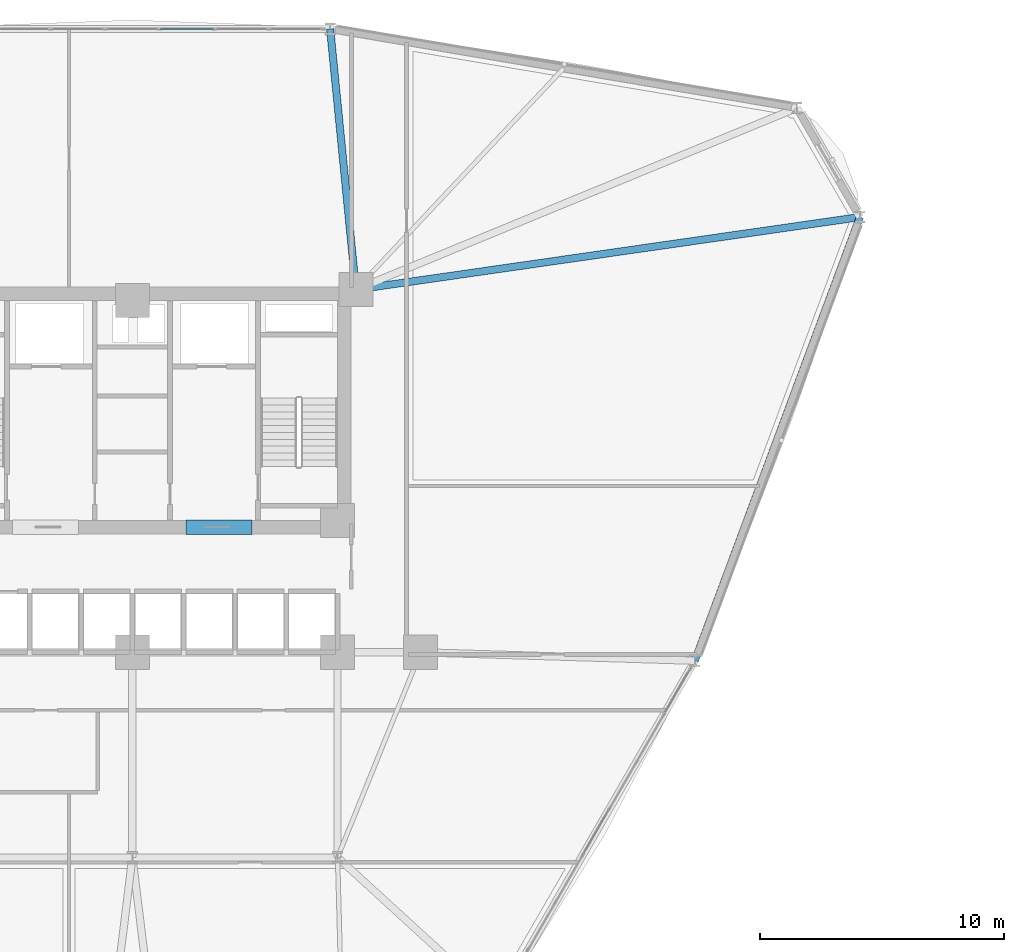
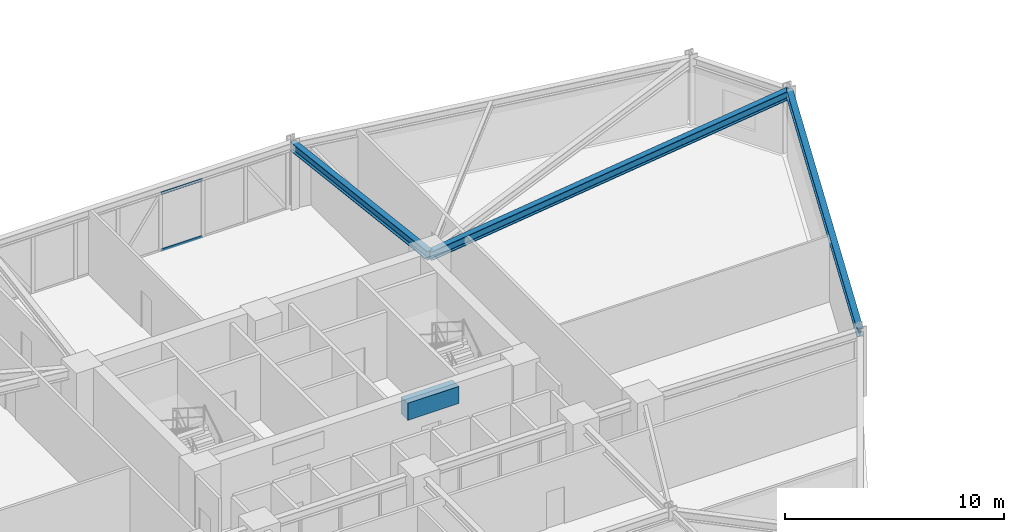
# One storey, part 12 of 23: 4 beams, 2 members, 1 element without a shape of its own.
"""IFC4 building model written with IfcOpenShell, lengths in metres."""

from ifc_helpers import new_model, si_unit, derived_unit, direction, frame, origin, origin_2d, place, context, subcontext, project, spatial, rectangle, hollow_rectangle, i_section, extrude, source, transform, mapped, material, layer, layer_set, material_profile, profile_set, type_object, element, aggregate, save


model = new_model("IFC4")

# Units and contexts
model_context = context("Model", 3, precision=1e-05, world=origin(), true_north=direction((0.0, 1.0)))
body_context = subcontext(model_context, "Body", "Model", "MODEL_VIEW")
ifc_project = project(units=[si_unit("LENGTHUNIT", "METRE"), si_unit("AREAUNIT", "SQUARE_METRE"), si_unit("VOLUMEUNIT", "CUBIC_METRE"), si_unit("PLANEANGLEUNIT", "RADIAN"), si_unit("MASSUNIT", "GRAM", prefix="KILO"), derived_unit("THERMALTRANSMITTANCEUNIT", [(si_unit("POWERUNIT", "WATT"), 1), (si_unit("LENGTHUNIT", "METRE"), -2), (si_unit("THERMODYNAMICTEMPERATUREUNIT", "KELVIN"), -1)])], contexts=[model_context])

# Site, building, storey
site_placement = place(None, origin())
site = spatial("IfcSite", under=ifc_project, at=site_placement, CompositionType="ELEMENT")
building_placement = place(site_placement, origin())
building = spatial("IfcBuilding", under=site, at=building_placement, Name="Korsvarv Bourse and Concert Hall", CompositionType="ELEMENT")
storey_placement = place(building_placement, frame((0.0, 0.0, 24.0)))
storey = spatial("IfcBuildingStorey", under=building, at=storey_placement, Name="L05", CompositionType="ELEMENT", Elevation=24.0)

# Beams
ifc_material_1 = material(Name="Concrete C55/67", Category="concrete")
ifc_material_profile_1 = material_profile(ifc_material_1, rectangle(XDim=0.60009765625, YDim=0.949951171875, at=origin_2d()), Name="RC-BM 600x950")
ifc_profile_set_1 = profile_set([ifc_material_profile_1], Name="Concrete C55/67")
beam_type_1 = type_object("IfcBeamType", Name="BM-CPL", PredefinedType="LINTEL", material=ifc_profile_set_1)
shared_shape_1 = source(origin(), body_context, "Body", "SweptSolid", [
    extrude(rectangle(XDim=0.60009765625, YDim=0.949951171875, at=origin_2d()), origin(), (0.0, 0.0, 1.0), 2.699951171875),
])
beam_1_placement = place(storey_placement, frame((38.199951171875, 37.52490234375, 3.205078125), z_axis=(1.0, 0.0, 0.0), x_axis=(0.0, 1.0, 0.0)))
element("IfcBeam", 1, at=beam_1_placement, inside=storey, type_object=beam_type_1, Name="L05 Core Coupling Beam East", PredefinedType="LINTEL", context=body_context, shape_type="MappedRepresentation", body=[
    mapped(shared_shape_1, transform((0.0, 0.0, 0.0), scale=1.0)),
])
ifc_material_2 = material(Name="Steel S355", Category="steel")
ifc_material_profile_2 = material_profile(ifc_material_2, i_section(OverallWidth=0.300048828125, OverallDepth=0.449951171875, WebThickness=0.013916015625, FlangeThickness=0.02587890625, FilletRadius=0.02099609375, at=origin_2d()), Name="HEB 450")
ifc_profile_set_2 = profile_set([ifc_material_profile_2], Name="Steel S355")
beam_type_2 = type_object("IfcBeamType", Name="BM-HEB450", PredefinedType="SPANDREL", material=ifc_profile_set_2)
shared_shape_2 = source(origin(), body_context, "Body", "SweptSolid", [
    extrude(i_section(OverallWidth=0.300048828125, OverallDepth=0.449951171875, WebThickness=0.013916015625, FlangeThickness=0.02587890625, FilletRadius=0.02099609375, at=origin_2d()), origin(), (0.0, 0.0, 1.0), 19.3798828125),
])
beam_2_placement = place(storey_placement, frame((59.029541015625, 32.05419921875, 3.455078125), z_axis=(0.348764335055, 0.937210455871, 0.0), x_axis=(-0.937210455871, 0.348764335055, 0.0)))
element("IfcBeam", 2, at=beam_2_placement, inside=storey, type_object=beam_type_2, Name="L05 beam B-08", PredefinedType="SPANDREL", context=body_context, shape_type="MappedRepresentation", body=[
    mapped(shared_shape_2, transform((0.0, 0.0, 0.0), scale=1.0)),
])
ifc_material_profile_3 = material_profile(ifc_material_2, i_section(OverallWidth=0.300048828125, OverallDepth=0.5, WebThickness=0.014404296875, FlangeThickness=0.028076171875, FilletRadius=0.02392578125, at=origin_2d()), Name="HEB 500")
ifc_profile_set_3 = profile_set([ifc_material_profile_3], Name="Steel S355")
beam_type_3 = type_object("IfcBeamType", Name="BM-HEB500", PredefinedType="BEAM", material=ifc_profile_set_3)
shared_shape_3 = source(origin(), body_context, "Body", "SweptSolid", [
    extrude(i_section(OverallWidth=0.300048828125, OverallDepth=0.5, WebThickness=0.014404296875, FlangeThickness=0.028076171875, FilletRadius=0.02392578125, at=origin_2d()), origin(), (0.0, 0.0, 1.0), 20.850830078125),
])
beam_3_placement = place(storey_placement, frame((65.78857421875, 50.21728515625, 3.429931640625), z_axis=(-0.989822170668, -0.142309769356, 0.0), x_axis=(0.142309769356, -0.989822170668, 0.0)))
element("IfcBeam", 3, at=beam_3_placement, inside=storey, type_object=beam_type_3, Name="L05 beam B-07", PredefinedType="BEAM", context=body_context, shape_type="MappedRepresentation", body=[
    mapped(shared_shape_3, transform((0.0, 0.0, 0.0), scale=1.0)),
])
shared_shape_4 = source(origin(), body_context, "Body", "SweptSolid", [
    extrude(i_section(OverallWidth=0.300048828125, OverallDepth=0.5, WebThickness=0.014404296875, FlangeThickness=0.028076171875, FilletRadius=0.02392578125, at=origin_2d()), origin(), (0.0, 0.0, 1.0), 10.71875),
])
beam_4_placement = place(storey_placement, frame((44.097412109375, 57.9169921875, 3.429931640625), z_axis=(0.098191142764, -0.995167573569, 0.0), x_axis=(0.995167573569, 0.098191142764, 0.0)))
element("IfcBeam", 4, at=beam_4_placement, inside=storey, type_object=beam_type_3, Name="L05 beam B-07", PredefinedType="BEAM", context=body_context, shape_type="MappedRepresentation", body=[
    mapped(shared_shape_4, transform((0.0, 0.0, 0.0), scale=1.0)),
])

# Curtain wall, members
ifc_material_3 = material(Name="Anodised aluminium and triple low-E glazing", Category="glass")
ifc_layer = layer(ifc_material_3, 0.219970703125)
ifc_layer_set = layer_set([ifc_layer], Name="Anodised aluminium and triple low-E glazing")
curtain_wall_type = type_object("IfcCurtainWallType", Name="CW-SYS-1", PredefinedType="NOTDEFINED", material=ifc_layer_set)
curtain_wall_placement = place(storey_placement, origin())
curtain_wall = element("IfcCurtainWall", 5, at=curtain_wall_placement, inside=storey, type_object=curtain_wall_type, Name="L05 CW1 curtain wall CW-L05-F03", PredefinedType="NOTDEFINED")
ifc_material_4 = material(Name="Extruded aluminium EN AW-6063 T66", Category="aluminium")
ifc_material_profile_4 = material_profile(ifc_material_4, hollow_rectangle(XDim=0.06494140625, YDim=0.139892578125, WallThickness=0.00390625, at=origin_2d()), Name="ALU-T 65x140")
ifc_profile_set_4 = profile_set([ifc_material_profile_4], Name="Extruded aluminium EN AW-6063 T66")
member_type = type_object("IfcMemberType", Name="CWT-140", PredefinedType="USERDEFINED", material=ifc_profile_set_4)
shared_shape_5 = source(origin(), body_context, "Body", "SweptSolid", [
    extrude(hollow_rectangle(XDim=0.06494140625, YDim=0.139892578125, WallThickness=0.00390625, at=origin_2d()), origin(), (0.0, 0.0, 1.0), 2.168701171875),
])
member_1_placement = place(storey_placement, frame((39.322998046875, 57.9169921875, 0.032470703125), z_axis=(-1.0, 0.0, 0.0), x_axis=(0.0, -1.0, 0.0)))
member_1 = element("IfcMember", 6, at=member_1_placement, type_object=member_type, Name="CW1 transom 3.1", ObjectType="TRANSOM", PredefinedType="USERDEFINED", context=body_context, shape_type="MappedRepresentation", body=[
    mapped(shared_shape_5, transform((0.0, 0.0, 0.0), scale=1.0)),
])
member_2_placement = place(storey_placement, frame((39.322998046875, 57.9169921875, 3.197509765625), z_axis=(-1.0, 0.0, 0.0), x_axis=(0.0, -1.0, 0.0)))
member_2 = element("IfcMember", 7, at=member_2_placement, type_object=member_type, Name="CW1 transom 3.2", ObjectType="TRANSOM", PredefinedType="USERDEFINED", context=body_context, shape_type="MappedRepresentation", body=[
    mapped(shared_shape_5, transform((0.0, 0.0, 0.0), scale=1.0)),
])
aggregate(curtain_wall, [member_1, member_2])

save(model, "model.ifc")
